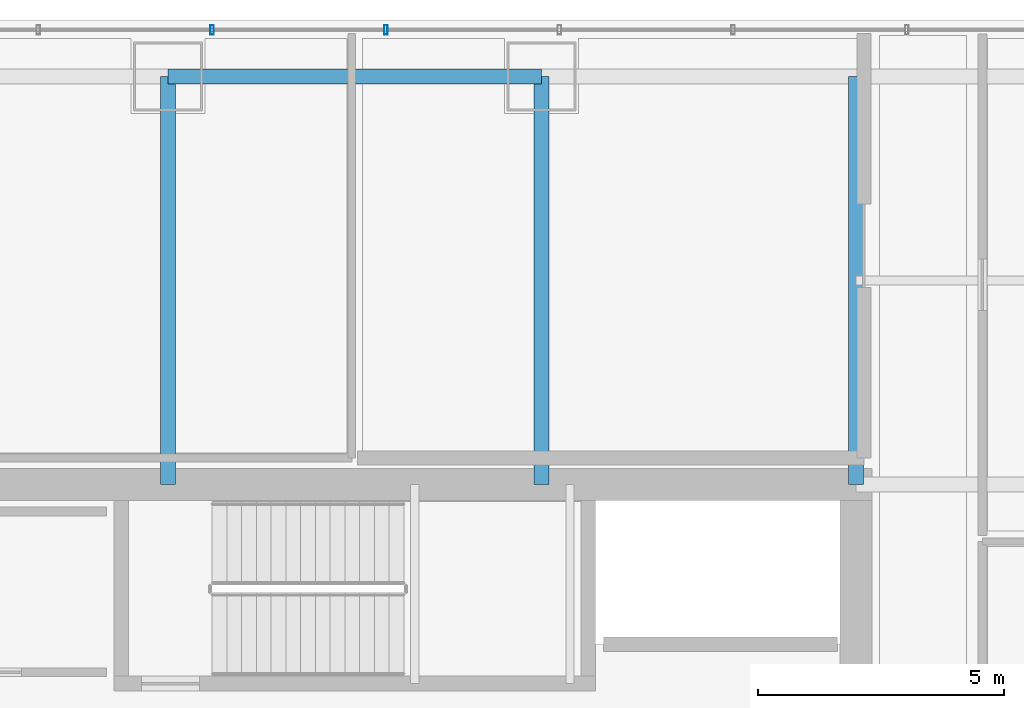
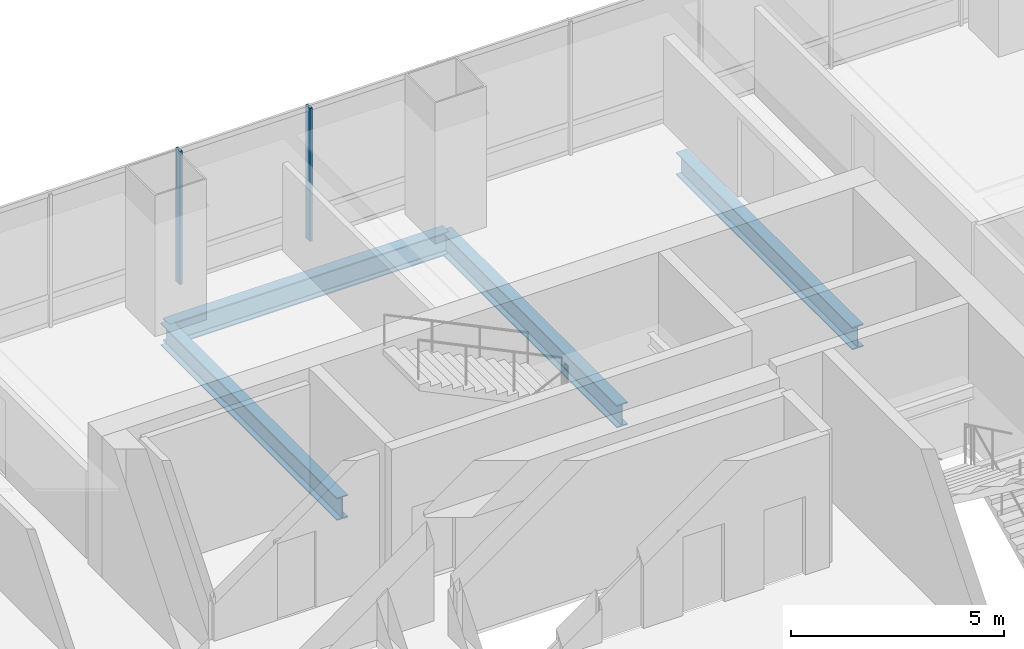
# One storey, part 22 of 35: 4 beams, 2 members, 1 element without a shape of its own.
"""IFC4 building model written with IfcOpenShell, lengths in metres."""

from ifc_helpers import new_model, si_unit, direction, frame, origin, origin_2d, place, context, subcontext, project, spatial, hollow_rectangle, i_section, extrude, material, material_profile, profile_set, type_object, element, aggregate, save


model = new_model("IFC4")

# Units and contexts
model_context = context("Model", 3, precision=1e-05, world=origin(), true_north=direction((0.0, 1.0)))
body_context = subcontext(model_context, "Body", "Model", "MODEL_VIEW")
ifc_project = project(units=[si_unit("LENGTHUNIT", "METRE"), si_unit("AREAUNIT", "SQUARE_METRE"), si_unit("VOLUMEUNIT", "CUBIC_METRE"), si_unit("PLANEANGLEUNIT", "RADIAN"), si_unit("MASSUNIT", "GRAM", prefix="KILO")], contexts=[model_context])

# Site, building, storey
site_placement = place(None, origin())
site = spatial("IfcSite", under=ifc_project, at=site_placement, CompositionType="ELEMENT")
building_placement = place(site_placement, origin())
building = spatial("IfcBuilding", under=site, at=building_placement, Name="Punatoya Terracotta Tower", CompositionType="ELEMENT")
storey_placement = place(building_placement, frame((0.0, 0.0, 216.75)))
storey = spatial("IfcBuildingStorey", under=building, at=storey_placement, Name="L51", CompositionType="ELEMENT", Elevation=216.75)

# Beams
ifc_material_1 = material(Name="Steel S355", Category="steel")
ifc_material_profile_1 = material_profile(ifc_material_1, i_section(OverallWidth=0.300048828125, OverallDepth=0.64990234375, WebThickness=0.01611328125, FlangeThickness=0.031005859375, FilletRadius=0.01806640625, at=origin_2d()))
ifc_profile_set_1 = profile_set([ifc_material_profile_1], Name="Steel S355")
beam_type = type_object("IfcBeamType", Name="BM-PRI-650", PredefinedType="BEAM", material=ifc_profile_set_1)
beam_placement = place(storey_placement, frame((-3.800048828125, 17.5, -0.544921875), z_axis=(1.0, 0.0, 0.0), x_axis=(0.0, 1.0, 0.0)))
element("IfcBeam", 1, at=beam_placement, inside=storey, type_object=beam_type, Name="BM-L51-RG-N2", PredefinedType="BEAM", context=body_context, shape_type="SweptSolid", body=[
    extrude(i_section(OverallWidth=0.300048828125, OverallDepth=0.64990234375, WebThickness=0.01611328125, FlangeThickness=0.031005859375, FilletRadius=0.01806640625, at=origin_2d()), origin(), (0.0, 0.0, 1.0), 7.60009765625),
])
for number, where, z_axis, x_axis, name in (
    (2, (-3.800048828125, 9.199951171875, -0.544921875), (0.0, 1.0, 0.0), (-1.0, 0.0, 0.0), "BM-L51-PR-N2"),
    (3, (3.800048828125, 9.199951171875, -0.544921875), (0.0, 1.0, 0.0), (-1.0, 0.0, 0.0), "BM-L51-PR-N3"),
    (4, (10.199951171875, 9.199951171875, -0.544921875), (0.0, 1.0, 0.0), (-1.0, 0.0, 0.0), "BM-L51-PR-N4"),
):
    element("IfcBeam", number, at=place(storey_placement, frame(where, z_axis=z_axis, x_axis=x_axis)), inside=storey, type_object=beam_type, Name=name, PredefinedType="BEAM", context=body_context, shape_type="SweptSolid", body=[
        extrude(i_section(OverallWidth=0.300048828125, OverallDepth=0.64990234375, WebThickness=0.01611328125, FlangeThickness=0.031005859375, FilletRadius=0.01806640625, at=origin_2d()), origin(), (0.0, 0.0, 1.0), 8.300048828125),
    ])

# Curtain wall, members
ifc_material_2 = material(Name="Aluminium 6063-T6 + Double Low-E Glass", Category="aluminium")
curtain_wall_type = type_object("IfcCurtainWallType", Name="CW-M2", PredefinedType="NOTDEFINED", material=ifc_material_2)
curtain_wall_placement = place(storey_placement, origin())
curtain_wall = element("IfcCurtainWall", 5, at=curtain_wall_placement, inside=storey, type_object=curtain_wall_type, Name="L51 Curtain Wall CW-L51-N09-1", PredefinedType="NOTDEFINED")
ifc_material_3 = material(Name="Aluminium 6063-T6", Category="aluminium")
ifc_material_profile_2 = material_profile(ifc_material_3, hollow_rectangle(XDim=0.072021484375, YDim=0.195068359375, WallThickness=0.00439453125, at=origin_2d()))
ifc_profile_set_2 = profile_set([ifc_material_profile_2], Name="Aluminium 6063-T6")
member_type = type_object("IfcMemberType", Name="CW-MUL-M2", PredefinedType="MULLION", material=ifc_profile_set_2)
member_1_placement = place(storey_placement, frame((0.633056640625, 18.449951171875, 0.0), z_axis=(0.0, 0.0, 1.0), x_axis=(1.0, 0.0, 0.0)))
member_1 = element("IfcMember", 6, at=member_1_placement, type_object=member_type, Name="CW-L51-N09-1 Mullion 06", PredefinedType="MULLION", context=body_context, shape_type="SweptSolid", body=[
    extrude(hollow_rectangle(XDim=0.072021484375, YDim=0.195068359375, WallThickness=0.00439453125, at=origin_2d()), origin(), (0.0, 0.0, 1.0), 3.830078125),
])
member_2_placement = place(storey_placement, frame((-2.90087890625, 18.449951171875, 0.0), z_axis=(0.0, 0.0, 1.0), x_axis=(1.0, 0.0, 0.0)))
member_2 = element("IfcMember", 7, at=member_2_placement, type_object=member_type, Name="CW-L51-N09-1 Mullion 07", PredefinedType="MULLION", context=body_context, shape_type="SweptSolid", body=[
    extrude(hollow_rectangle(XDim=0.072021484375, YDim=0.195068359375, WallThickness=0.00439453125, at=origin_2d()), origin(), (0.0, 0.0, 1.0), 3.830078125),
])
aggregate(curtain_wall, [member_1, member_2])

save(model, "model.ifc")
